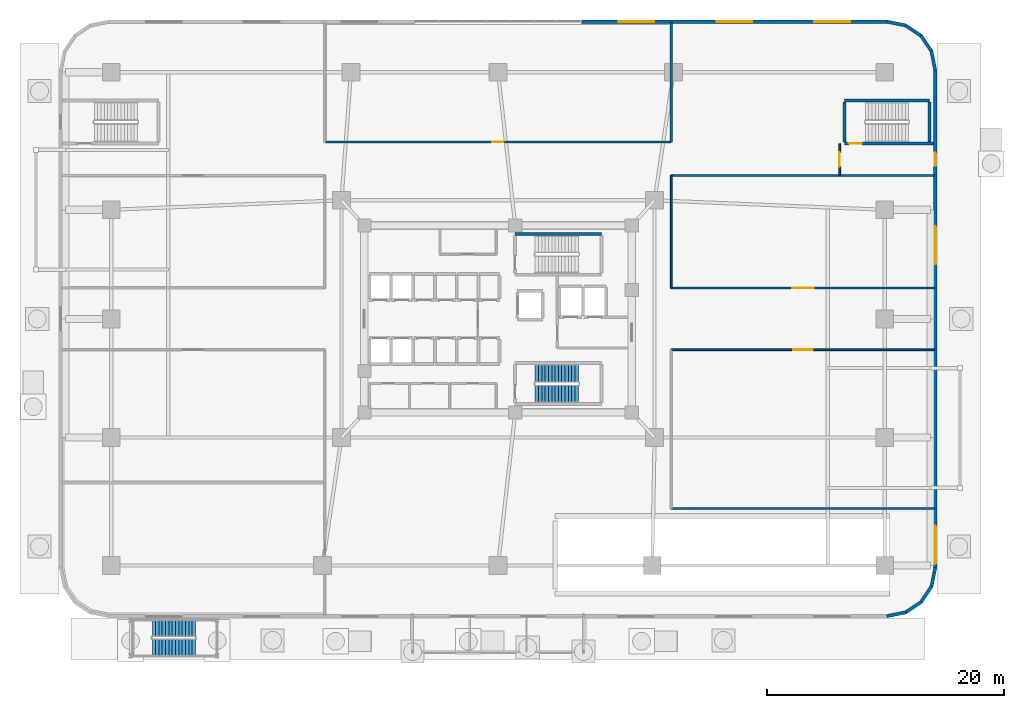
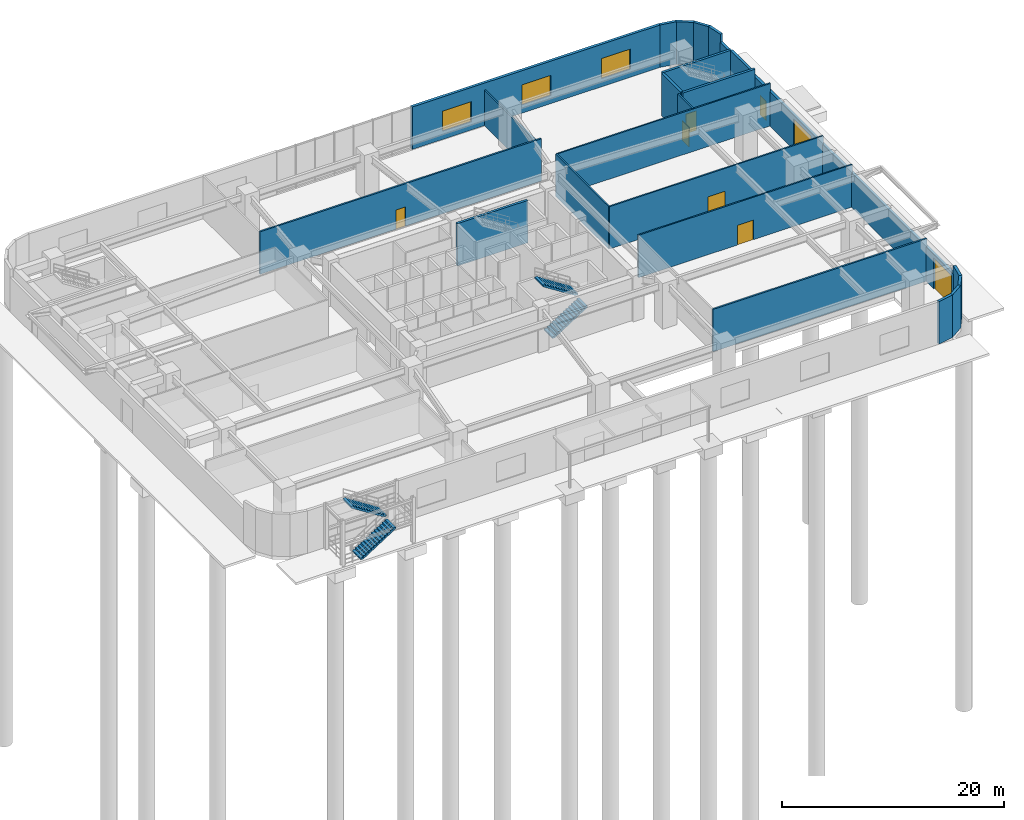
# One storey, part 14 of 18: 23 walls, 8 doors, 4 stair flights, 3 windows, 11 openings, 2 elements without a shape of their own.
"""IFC4 building model written with IfcOpenShell, lengths in metres."""

from ifc_helpers import new_model, si_unit, direction, frame, frame_2d, origin, place, context, subcontext, project, spatial, polyline, rectangle, outline, extrude, material, layer, layer_set, type_object, element, fill, aggregate, save


model = new_model("IFC4")

# Units and contexts
model_context = context("Model", 3, precision=1e-05, world=origin(), true_north=direction((0.0, 1.0)))
body_context = subcontext(model_context, "Body", "Model", "MODEL_VIEW")
ifc_project = project(units=[si_unit("LENGTHUNIT", "METRE"), si_unit("AREAUNIT", "SQUARE_METRE"), si_unit("VOLUMEUNIT", "CUBIC_METRE"), si_unit("PLANEANGLEUNIT", "RADIAN"), si_unit("MASSUNIT", "GRAM", prefix="KILO")], contexts=[model_context])

# Site, building, storey
site_placement = place(None, origin())
site = spatial("IfcSite", under=ifc_project, at=site_placement, CompositionType="ELEMENT")
building_placement = place(site_placement, origin())
building = spatial("IfcBuilding", under=site, at=building_placement, Name="Zulverin Broadcast Headquarters", CompositionType="ELEMENT")
storey_placement = place(building_placement, origin())
storey = spatial("IfcBuildingStorey", under=building, at=storey_placement, Name="L00", CompositionType="ELEMENT", Elevation=0.0)

# Wall, openings, doors
ifc_material_1 = material(Name="Insulated pale-metal clad concrete spandrel C40/50", Category="concrete")
ifc_layer_1 = layer(ifc_material_1, 0.280029296875, Name="Insulated pale-metal clad concrete spandrel C40/50", Category="concrete")
ifc_layer_set_1 = layer_set([ifc_layer_1], Name="Insulated pale-metal clad concrete spandrel C40/50")
wall_type_1 = type_object("IfcWallType", Name="WL-EXT-280", PredefinedType="STANDARD", material=ifc_layer_set_1)
wall_1_placement = place(storey_placement, frame((73.860107421875, 46.199951171875, 0.0), z_axis=(0.0, 0.0, 1.0), x_axis=(0.0, -1.0, 0.0)))
wall_1 = element("IfcWall", 1, at=wall_1_placement, inside=storey, type_object=wall_type_1, Name="L00 Podium Exterior Wall 1", PredefinedType="STANDARD", context=body_context, shape_type="SweptSolid", body=[
    extrude(rectangle(XDim=42.0, YDim=0.280029296875, at=frame_2d((21.0, 0.0))), origin(), (0.0, 0.0, 1.0), 3.760009765625),
])
opening_1_placement = place(wall_1_placement, frame((7.0, 0.0, 0.0)))
opening_1 = element("IfcOpeningElement", 2, at=opening_1_placement, cuts=wall_1, Name="Opening D-L00-EX4", PredefinedType="OPENING", context=body_context, shape_type="SweptSolid", body=[
    extrude(rectangle(XDim=1.10009765625, YDim=2.14990234375, at=frame_2d((0.550048828125, 1.074951171875))), frame((0.0, 0.14990234375, 0.0), z_axis=(0.0, -1.0, 0.0), x_axis=(1.0, 0.0, 0.0)), (0.0, 0.0, 1.0), 0.300048828125),
])
opening_2_placement = place(wall_1_placement, frame((13.199951171875, 0.0, 0.0)))
opening_2 = element("IfcOpeningElement", 3, at=opening_2_placement, cuts=wall_1, Name="Opening D-L00-DOCK", PredefinedType="OPENING", context=body_context, shape_type="SweptSolid", body=[
    extrude(rectangle(XDim=3.199951171875, YDim=3.39990234375, at=frame_2d((1.60009765625, 1.699951171875))), frame((0.0, 0.14990234375, 0.0), z_axis=(0.0, -1.0, 0.0), x_axis=(1.0, 0.0, 0.0)), (0.0, 0.0, 1.0), 0.300048828125),
])
opening_3_placement = place(wall_1_placement, frame((38.449951171875, 0.0, 0.0)))
opening_3 = element("IfcOpeningElement", 4, at=opening_3_placement, cuts=wall_1, Name="Opening D-L00-VRMP", PredefinedType="OPENING", context=body_context, shape_type="SweptSolid", body=[
    extrude(rectangle(XDim=3.199951171875, YDim=3.39990234375, at=frame_2d((1.60009765625, 1.699951171875))), frame((0.0, 0.14990234375, 0.0), z_axis=(0.0, -1.0, 0.0), x_axis=(1.0, 0.0, 0.0)), (0.0, 0.0, 1.0), 0.300048828125),
])
ifc_material_2 = material(Name="Insulated galvanized steel shutter", Category="steel")
door_type_1 = type_object("IfcDoorType", Name="DR-DOCK-3200", OperationType="ROLLINGUP", PredefinedType="DOOR", material=ifc_material_2)
door_1_placement = place(opening_2_placement, origin())
door_1 = element("IfcDoor", 5, at=door_1_placement, inside=storey, type_object=door_type_1, Name="L00 OB Van Loading Bay Roller Shutter", OperationType="ROLLINGUP", OverallHeight=3.39990234375, OverallWidth=3.199951171875, PredefinedType="DOOR", context=body_context, shape_type="SweptSolid", body=[
    extrude(rectangle(XDim=3.199951171875, YDim=3.39990234375, at=frame_2d((1.60009765625, 1.699951171875))), frame((0.0, 0.02490234375, 0.0), z_axis=(0.0, -1.0, 0.0), x_axis=(1.0, 0.0, 0.0)), (0.0, 0.0, 1.0), 0.050048828125),
])
fill(opening_2, door_1)
door_2_placement = place(opening_3_placement, origin())
door_2 = element("IfcDoor", 6, at=door_2_placement, inside=storey, type_object=door_type_1, Name="L00 Car Park Ramp Exit Roller Shutter", OperationType="ROLLINGUP", OverallHeight=3.39990234375, OverallWidth=3.199951171875, PredefinedType="DOOR", context=body_context, shape_type="SweptSolid", body=[
    extrude(rectangle(XDim=3.199951171875, YDim=3.39990234375, at=frame_2d((1.60009765625, 1.699951171875))), frame((0.0, 0.02490234375, 0.0), z_axis=(0.0, -1.0, 0.0), x_axis=(1.0, 0.0, 0.0)), (0.0, 0.0, 1.0), 0.050048828125),
])
fill(opening_3, door_2)
ifc_material_3 = material(Name="Fire-rated steel leaf and frame", Category="steel")
door_type_2 = type_object("IfcDoorType", Name="DR-STAIR-1100", OperationType="SINGLE_SWING_LEFT", PredefinedType="DOOR", material=ifc_material_3)
door_3_placement = place(opening_1_placement, origin())
door_3 = element("IfcDoor", 7, at=door_3_placement, inside=storey, type_object=door_type_2, Name="L00 ST-4 Protected Exit Passageway Final Exterior Door", OperationType="SINGLE_SWING_RIGHT", OverallHeight=2.14990234375, OverallWidth=1.10009765625, PredefinedType="DOOR", context=body_context, shape_type="SweptSolid", body=[
    extrude(rectangle(XDim=1.10009765625, YDim=2.14990234375, at=frame_2d((0.550048828125, 1.074951171875))), frame((0.0, 0.02490234375, 0.0), z_axis=(0.0, -1.0, 0.0), x_axis=(1.0, 0.0, 0.0)), (0.0, 0.0, 1.0), 0.050048828125),
])
fill(opening_1, door_3)

# Wall, openings, windows
wall_2_placement = place(storey_placement, frame((69.800048828125, 50.260009765625, 0.0), z_axis=(0.0, 0.0, 1.0), x_axis=(-1.0, 0.0, 0.0)))
wall_2 = element("IfcWall", 8, at=wall_2_placement, inside=storey, type_object=wall_type_1, Name="L00 Podium Flank Wall 2-1", PredefinedType="STANDARD", context=body_context, shape_type="SweptSolid", body=[
    extrude(rectangle(XDim=25.761962890625, YDim=0.280029296875, at=frame_2d((12.880859375, 0.0))), origin(), (0.0, 0.0, 1.0), 4.659912109375),
])
opening_4_placement = place(wall_2_placement, frame((3.126953125, 0.0, 0.89990234375)))
opening_4 = element("IfcOpeningElement", 9, at=opening_4_placement, cuts=wall_2, Name="Opening W-L00-F211", PredefinedType="OPENING", context=body_context, shape_type="SweptSolid", body=[
    extrude(rectangle(XDim=3.0, YDim=2.199951171875, at=frame_2d((1.5, 1.10009765625))), frame((0.0, 0.14990234375, 0.0), z_axis=(0.0, -1.0, 0.0), x_axis=(1.0, 0.0, 0.0)), (0.0, 0.0, 1.0), 0.300048828125),
])
opening_5_placement = place(wall_2_placement, frame((11.381103515625, 0.0, 0.89990234375)))
opening_5 = element("IfcOpeningElement", 10, at=opening_5_placement, cuts=wall_2, Name="Opening W-L00-F212", PredefinedType="OPENING", context=body_context, shape_type="SweptSolid", body=[
    extrude(rectangle(XDim=3.0, YDim=2.199951171875, at=frame_2d((1.5, 1.10009765625))), frame((0.0, 0.14990234375, 0.0), z_axis=(0.0, -1.0, 0.0), x_axis=(1.0, 0.0, 0.0)), (0.0, 0.0, 1.0), 0.300048828125),
])
opening_6_placement = place(wall_2_placement, frame((19.635009765625, 0.0, 0.89990234375)))
opening_6 = element("IfcOpeningElement", 11, at=opening_6_placement, cuts=wall_2, Name="Opening W-L00-F213", PredefinedType="OPENING", context=body_context, shape_type="SweptSolid", body=[
    extrude(rectangle(XDim=3.0, YDim=2.199951171875, at=frame_2d((1.5, 1.10009765625))), frame((0.0, 0.14990234375, 0.0), z_axis=(0.0, -1.0, 0.0), x_axis=(1.0, 0.0, 0.0)), (0.0, 0.0, 1.0), 0.300048828125),
])
ifc_material_4 = material(Name="Pale anodized aluminium frame with solar-control low-E double glazing", Category="aluminium")
window_type = type_object("IfcWindowType", Name="WIN-POD-3000", PartitioningType="SINGLE_PANEL", PredefinedType="WINDOW", material=ifc_material_4)
window_1_placement = place(opening_4_placement, origin())
window_1 = element("IfcWindow", 12, at=window_1_placement, inside=storey, type_object=window_type, Name="L00 Podium Flank Window 2-1 1", OverallHeight=2.199951171875, OverallWidth=3.0, PartitioningType="SINGLE_PANEL", PredefinedType="WINDOW", context=body_context, shape_type="SweptSolid", body=[
    extrude(rectangle(XDim=3.0, YDim=2.199951171875, at=frame_2d((1.5, 1.10009765625))), frame((0.0, 0.030029296875, 0.0), z_axis=(0.0, -1.0, 0.0), x_axis=(1.0, 0.0, 0.0)), (0.0, 0.0, 1.0), 0.06005859375),
])
fill(opening_4, window_1)
window_2_placement = place(opening_5_placement, origin())
window_2 = element("IfcWindow", 13, at=window_2_placement, inside=storey, type_object=window_type, Name="L00 Podium Flank Window 2-1 2", OverallHeight=2.199951171875, OverallWidth=3.0, PartitioningType="SINGLE_PANEL", PredefinedType="WINDOW", context=body_context, shape_type="SweptSolid", body=[
    extrude(rectangle(XDim=3.0, YDim=2.199951171875, at=frame_2d((1.5, 1.10009765625))), frame((0.0, 0.030029296875, 0.0), z_axis=(0.0, -1.0, 0.0), x_axis=(1.0, 0.0, 0.0)), (0.0, 0.0, 1.0), 0.06005859375),
])
fill(opening_5, window_2)
window_3_placement = place(opening_6_placement, origin())
window_3 = element("IfcWindow", 14, at=window_3_placement, inside=storey, type_object=window_type, Name="L00 Podium Flank Window 2-1 3", OverallHeight=2.199951171875, OverallWidth=3.0, PartitioningType="SINGLE_PANEL", PredefinedType="WINDOW", context=body_context, shape_type="SweptSolid", body=[
    extrude(rectangle(XDim=3.0, YDim=2.199951171875, at=frame_2d((1.5, 1.10009765625))), frame((0.0, 0.030029296875, 0.0), z_axis=(0.0, -1.0, 0.0), x_axis=(1.0, 0.0, 0.0)), (0.0, 0.0, 1.0), 0.06005859375),
])
fill(opening_6, window_3)

# Walls
for number, where, z_axis, x_axis, name in (
    (15, (73.86279296875, 46.172607421875, 0.0), (0.0, 0.0, 1.0), (-0.195142046967, 0.980774990253, 0.0), "L00 Wind-Shaped Corner Spandrel Wall 1-1"),
    (16, (73.56396484375, 47.7294921875, 0.0), (0.0, 0.0, 1.0), (-0.555662407875, 0.831408015643, 0.0), "L00 Wind-Shaped Corner Spandrel Wall 1-2"),
):
    element("IfcWall", number, at=place(storey_placement, frame(where, z_axis=z_axis, x_axis=x_axis)), inside=storey, type_object=wall_type_1, Name=name, PredefinedType="STANDARD", context=body_context, shape_type="SweptSolid", body=[
        extrude(rectangle(XDim=1.638916015625, YDim=0.280029296875, at=frame_2d((0.8193359375, 0.0))), origin(), (0.0, 0.0, 1.0), 4.659912109375),
    ])
wall_3_placement = place(storey_placement, frame((72.69189453125, 49.053466796875, 0.0), z_axis=(0.0, 0.0, 1.0), x_axis=(-0.831430845238, 0.555628247651, 0.0)))
element("IfcWall", 17, at=wall_3_placement, inside=storey, type_object=wall_type_1, Name="L00 Wind-Shaped Corner Spandrel Wall 1-3", PredefinedType="STANDARD", context=body_context, shape_type="SweptSolid", body=[
    extrude(rectangle(XDim=1.638427734375, YDim=0.280029296875, at=frame_2d((0.8193359375, 0.0))), origin(), (0.0, 0.0, 1.0), 4.659912109375),
])
for number, where, z_axis, x_axis, name in (
    (18, (71.3798828125, 49.943115234375, 0.0), (0.0, 0.0, 1.0), (-0.980797825116, 0.195027244885, 0.0), "L00 Wind-Shaped Corner Spandrel Wall 1-4"),
    (19, (69.772705078125, 0.13720703125, 0.0), (0.0, 0.0, 1.0), (0.980769316421, 0.19517056122, 0.0), "L00 Wind-Shaped Corner Spandrel Wall 4-1"),
    (20, (71.32958984375, 0.43603515625, 0.0), (0.0, 0.0, 1.0), (0.831362010656, 0.555731236514, 0.0), "L00 Wind-Shaped Corner Spandrel Wall 4-2"),
    (21, (72.6533203125, 1.30810546875, 0.0), (0.0, 0.0, 1.0), (0.555731236514, 0.831362010656, 0.0), "L00 Wind-Shaped Corner Spandrel Wall 4-3"),
    (22, (73.54296875, 2.6201171875, 0.0), (0.0, 0.0, 1.0), (0.19517056122, 0.980769316421, 0.0), "L00 Wind-Shaped Corner Spandrel Wall 4-4"),
):
    element("IfcWall", number, at=place(storey_placement, frame(where, z_axis=z_axis, x_axis=x_axis)), inside=storey, type_object=wall_type_1, Name=name, PredefinedType="STANDARD", context=body_context, shape_type="SweptSolid", body=[
        extrude(rectangle(XDim=1.638671875, YDim=0.280029296875, at=frame_2d((0.8193359375, 0.0))), origin(), (0.0, 0.0, 1.0), 4.659912109375),
    ])

# Wall, opening, door
ifc_material_5 = material(Name="Fire-rated gypsum stud partition", Category="gypsum")
ifc_layer_2 = layer(ifc_material_5, 0.14990234375, Name="Fire-rated gypsum stud partition", Category="gypsum")
ifc_layer_set_2 = layer_set([ifc_layer_2], Name="Fire-rated gypsum stud partition")
wall_type_2 = type_object("IfcWallType", Name="WL-PART-150", PredefinedType="PARTITIONING", material=ifc_layer_set_2)
wall_4_placement = place(storey_placement, frame((65.800048828125, 37.300048828125, 0.0), z_axis=(0.0, 0.0, 1.0), x_axis=(0.0, 1.0, 0.0)))
wall_4 = element("IfcWall", 23, at=wall_4_placement, inside=storey, type_object=wall_type_2, Name="L00 Gallery Partition Wall CG-01", PredefinedType="PARTITIONING", context=body_context, shape_type="SweptSolid", body=[
    extrude(rectangle(XDim=2.675048828125, YDim=0.14990234375, at=frame_2d((1.33740234375, 0.0))), origin(), (0.0, 0.0, 1.0), 4.659912109375),
])
opening_7_placement = place(wall_4_placement, frame((0.737548828125, 0.0, 0.0)))
opening_7 = element("IfcOpeningElement", 24, at=opening_7_placement, cuts=wall_4, Name="Opening D-L00-PSG", PredefinedType="OPENING", context=body_context, shape_type="SweptSolid", body=[
    extrude(rectangle(XDim=1.199951171875, YDim=2.14990234375, at=frame_2d((0.60009765625, 1.074951171875))), frame((0.0, 0.0849609375, 0.0), z_axis=(0.0, -1.0, 0.0), x_axis=(1.0, 0.0, 0.0)), (0.0, 0.0, 1.0), 0.169921875),
])
door_type_3 = type_object("IfcDoorType", Name="DR-FFL-1200", OperationType="SINGLE_SWING_RIGHT", PredefinedType="DOOR", material=ifc_material_3)
door_4_placement = place(opening_7_placement, origin())
door_4 = element("IfcDoor", 25, at=door_4_placement, inside=storey, type_object=door_type_3, Name="L00 ST-4 Protected Exit Passageway Door", OperationType="SINGLE_SWING_LEFT", OverallHeight=2.14990234375, OverallWidth=1.199951171875, PredefinedType="DOOR", context=body_context, shape_type="SweptSolid", body=[
    extrude(rectangle(XDim=1.199951171875, YDim=2.14990234375, at=frame_2d((0.60009765625, 1.074951171875))), frame((0.0, 0.02490234375, 0.0), z_axis=(0.0, -1.0, 0.0), x_axis=(1.0, 0.0, 0.0)), (0.0, 0.0, 1.0), 0.050048828125),
])
fill(opening_7, door_4)

# Wall
wall_5_placement = place(storey_placement, frame((51.60009765625, 27.800048828125, 0.0), z_axis=(0.0, 0.0, 1.0), x_axis=(0.0, 1.0, 0.0)))
element("IfcWall", 26, at=wall_5_placement, inside=storey, type_object=wall_type_2, Name="L00 Gallery Partition Wall CG-03", PredefinedType="PARTITIONING", context=body_context, shape_type="SweptSolid", body=[
    extrude(rectangle(XDim=9.5, YDim=0.14990234375, at=frame_2d((4.75, 0.0))), origin(), (0.0, 0.0, 1.0), 4.659912109375),
])

# Wall, opening, door
wall_6_placement = place(storey_placement, frame((51.60009765625, 22.60009765625, 0.0), z_axis=(0.0, 0.0, 1.0), x_axis=(1.0, 0.0, 0.0)))
wall_6 = element("IfcWall", 27, at=wall_6_placement, inside=storey, type_object=wall_type_2, Name="L00 Gallery Partition Wall CG-11", PredefinedType="PARTITIONING", context=body_context, shape_type="SweptSolid", body=[
    extrude(rectangle(XDim=22.19482421875, YDim=0.14990234375, at=frame_2d((11.097412109375, 0.0))), origin(), (0.0, 0.0, 1.0), 4.659912109375),
])
opening_8_placement = place(wall_6_placement, frame((10.2724609375, 0.0, 0.0)))
opening_8 = element("IfcOpeningElement", 28, at=opening_8_placement, cuts=wall_6, Name="Opening D-L00-PRE", PredefinedType="OPENING", context=body_context, shape_type="SweptSolid", body=[
    extrude(rectangle(XDim=1.64990234375, YDim=2.14990234375, at=frame_2d((0.824951171875, 1.074951171875))), frame((0.0, 0.0849609375, 0.0), z_axis=(0.0, -1.0, 0.0), x_axis=(1.0, 0.0, 0.0)), (0.0, 0.0, 1.0), 0.169921875),
])
ifc_material_6 = material(Name="Fire-rated acoustic double leaf", Category="steel")
door_type_4 = type_object("IfcDoorType", Name="DR-AUD-1650", OperationType="DOUBLE_DOOR_SINGLE_SWING", PredefinedType="DOOR", material=ifc_material_6)
door_5_placement = place(opening_8_placement, origin())
door_5 = element("IfcDoor", 29, at=door_5_placement, inside=storey, type_object=door_type_4, Name="L00 Press Accreditation & Media Briefing Suite Door", OperationType="DOUBLE_DOOR_SINGLE_SWING", OverallHeight=2.14990234375, OverallWidth=1.64990234375, PredefinedType="DOOR", context=body_context, shape_type="SweptSolid", body=[
    extrude(rectangle(XDim=1.64990234375, YDim=2.14990234375, at=frame_2d((0.824951171875, 1.074951171875))), frame((0.0, 0.02490234375, 0.0), z_axis=(0.0, -1.0, 0.0), x_axis=(1.0, 0.0, 0.0)), (0.0, 0.0, 1.0), 0.050048828125),
])
fill(opening_8, door_5)

wall_7_placement = place(storey_placement, frame((51.60009765625, 27.800048828125, 0.0), z_axis=(0.0, 0.0, 1.0), x_axis=(1.0, 0.0, 0.0)))
wall_7 = element("IfcWall", 30, at=wall_7_placement, inside=storey, type_object=wall_type_2, Name="L00 Gallery Partition Wall CG-13", PredefinedType="PARTITIONING", context=body_context, shape_type="SweptSolid", body=[
    extrude(rectangle(XDim=22.19482421875, YDim=0.14990234375, at=frame_2d((11.097412109375, 0.0))), origin(), (0.0, 0.0, 1.0), 4.659912109375),
])
opening_9_placement = place(wall_7_placement, frame((10.197509765625, 0.0, 0.0)))
opening_9 = element("IfcOpeningElement", 31, at=opening_9_placement, cuts=wall_7, Name="Opening D-L00-OBB", PredefinedType="OPENING", context=body_context, shape_type="SweptSolid", body=[
    extrude(rectangle(XDim=1.800048828125, YDim=2.14990234375, at=frame_2d((0.89990234375, 1.074951171875))), frame((0.0, 0.0849609375, 0.0), z_axis=(0.0, -1.0, 0.0), x_axis=(1.0, 0.0, 0.0)), (0.0, 0.0, 1.0), 0.169921875),
])
ifc_material_7 = material(Name="Acoustic steel studio door", Category="steel")
door_type_5 = type_object("IfcDoorType", Name="DR-STD-1800", OperationType="DOUBLE_DOOR_SINGLE_SWING", PredefinedType="DOOR", material=ifc_material_7)
door_6_placement = place(opening_9_placement, origin())
door_6 = element("IfcDoor", 32, at=door_6_placement, inside=storey, type_object=door_type_5, Name="L00 Outside Broadcast Van Loading & Service Bay Door", OperationType="DOUBLE_DOOR_SINGLE_SWING", OverallHeight=2.14990234375, OverallWidth=1.800048828125, PredefinedType="DOOR", context=body_context, shape_type="SweptSolid", body=[
    extrude(rectangle(XDim=1.800048828125, YDim=2.14990234375, at=frame_2d((0.89990234375, 1.074951171875))), frame((0.0, 0.02490234375, 0.0), z_axis=(0.0, -1.0, 0.0), x_axis=(1.0, 0.0, 0.0)), (0.0, 0.0, 1.0), 0.050048828125),
])
fill(opening_9, door_6)

# Walls
wall_8_placement = place(storey_placement, frame((51.60009765625, 37.300048828125, 0.0), z_axis=(0.0, 0.0, 1.0), x_axis=(1.0, 0.0, 0.0)))
element("IfcWall", 33, at=wall_8_placement, inside=storey, type_object=wall_type_2, Name="L00 Gallery Partition Wall CG-15", PredefinedType="PARTITIONING", context=body_context, shape_type="SweptSolid", body=[
    extrude(rectangle(XDim=22.19482421875, YDim=0.14990234375, at=frame_2d((11.097412109375, 0.0))), origin(), (0.0, 0.0, 1.0), 4.659912109375),
])
ifc_material_8 = material(Name="Fire-rated acoustic stud wall", Category="gypsum")
ifc_layer_3 = layer(ifc_material_8, 0.175048828125, Name="Fire-rated acoustic stud wall", Category="gypsum")
ifc_layer_set_3 = layer_set([ifc_layer_3], Name="Fire-rated acoustic stud wall")
wall_type_3 = type_object("IfcWallType", Name="WL-PART-175", PredefinedType="PARTITIONING", material=ifc_layer_set_3)
wall_9_placement = place(storey_placement, frame((51.60009765625, 40.10009765625, 0.0), z_axis=(0.0, 0.0, 1.0), x_axis=(0.0, 1.0, 0.0)))
element("IfcWall", 34, at=wall_9_placement, inside=storey, type_object=wall_type_3, Name="L00 Gallery Partition Wall CG-04", PredefinedType="PARTITIONING", context=body_context, shape_type="SweptSolid", body=[
    extrude(rectangle(XDim=10.094970703125, YDim=0.175048828125, at=frame_2d((5.04736328125, 0.0))), origin(), (0.0, 0.0, 1.0), 3.89013671875),
])
wall_10_placement = place(storey_placement, frame((51.60009765625, 9.199951171875, 0.0), z_axis=(0.0, 0.0, 1.0), x_axis=(1.0, 0.0, 0.0)))
element("IfcWall", 35, at=wall_10_placement, inside=storey, type_object=wall_type_3, Name="L00 Gallery Partition Wall CG-08", PredefinedType="PARTITIONING", context=body_context, shape_type="SweptSolid", body=[
    extrude(rectangle(XDim=22.19482421875, YDim=0.175048828125, at=frame_2d((11.097412109375, 0.0))), origin(), (0.0, 0.0, 1.0), 4.659912109375),
])

# Wall, opening, door
wall_11_placement = place(storey_placement, frame((22.39990234375, 40.10009765625, 0.0), z_axis=(0.0, 0.0, 1.0), x_axis=(1.0, 0.0, 0.0)))
wall_11 = element("IfcWall", 36, at=wall_11_placement, inside=storey, type_object=wall_type_3, Name="L00 Gallery Partition Wall CG-16", PredefinedType="PARTITIONING", context=body_context, shape_type="SweptSolid", body=[
    extrude(rectangle(XDim=29.2001953125, YDim=0.175048828125, at=frame_2d((14.60009765625, 0.0))), origin(), (0.0, 0.0, 1.0), 4.659912109375),
])
opening_10_placement = place(wall_11_placement, frame((14.10009765625, 0.0, 0.0)))
opening_10 = element("IfcOpeningElement", 37, at=opening_10_placement, cuts=wall_11, Name="Opening D-L00-SEC", PredefinedType="OPENING", context=body_context, shape_type="SweptSolid", body=[
    extrude(rectangle(XDim=1.0, YDim=2.1201171875, at=frame_2d((0.5, 1.06005859375))), frame((0.0, 0.097412109375, 0.0), z_axis=(0.0, -1.0, 0.0), x_axis=(1.0, 0.0, 0.0)), (0.0, 0.0, 1.0), 0.195068359375),
])
ifc_material_9 = material(Name="Hardwood veneer acoustic leaf", Category="wood")
door_type_6 = type_object("IfcDoorType", Name="DR-OFF-1000", OperationType="SINGLE_SWING_LEFT", PredefinedType="DOOR", material=ifc_material_9)
door_7_placement = place(opening_10_placement, origin())
door_7 = element("IfcDoor", 38, at=door_7_placement, inside=storey, type_object=door_type_6, Name="L00 Master Playout & Security Operations Office Door", OperationType="SINGLE_SWING_RIGHT", OverallHeight=2.1201171875, OverallWidth=1.0, PredefinedType="DOOR", context=body_context, shape_type="SweptSolid", body=[
    extrude(rectangle(XDim=1.0, YDim=2.1201171875, at=frame_2d((0.5, 1.06005859375))), frame((0.0, 0.02490234375, 0.0), z_axis=(0.0, -1.0, 0.0), x_axis=(1.0, 0.0, 0.0)), (0.0, 0.0, 1.0), 0.050048828125),
])
fill(opening_10, door_7)

# Wall
ifc_material_10 = material(Name="Concrete C50/60", Category="concrete")
ifc_layer_4 = layer(ifc_material_10, 0.25, Name="Concrete C50/60", Category="concrete")
ifc_layer_set_4 = layer_set([ifc_layer_4], Name="Concrete C50/60")
wall_type_4 = type_object("IfcWallType", Name="WL-SHAFT-250", PredefinedType="SHEAR", material=ifc_layer_set_4)
wall_12_placement = place(storey_placement, frame((38.425048828125, 32.375, 0.0), z_axis=(0.0, 0.0, 1.0), x_axis=(1.0, 0.0, 0.0)))
element("IfcWall", 39, at=wall_12_placement, inside=storey, type_object=wall_type_4, Name="L00 ST-1 Enclosure Wall N", PredefinedType="SHEAR", context=body_context, shape_type="SweptSolid", body=[
    extrude(rectangle(XDim=7.300048828125, YDim=0.25, at=frame_2d((3.64990234375, 0.0))), origin(), (0.0, 0.0, 1.0), 4.659912109375),
])

# Wall, opening, door
wall_13_placement = place(storey_placement, frame((66.22509765625, 39.97509765625, 0.0), z_axis=(0.0, 0.0, 1.0), x_axis=(1.0, 0.0, 0.0)))
wall_13 = element("IfcWall", 40, at=wall_13_placement, inside=storey, type_object=wall_type_4, Name="L00 ST-4 Enclosure Wall S", PredefinedType="SHEAR", context=body_context, shape_type="SweptSolid", body=[
    extrude(rectangle(XDim=7.494873046875, YDim=0.25, at=frame_2d((3.74755859375, 0.0))), origin(), (0.0, 0.0, 1.0), 4.659912109375),
])
opening_11_placement = place(wall_13_placement, frame((0.35009765625, 0.0, 0.0)))
opening_11 = element("IfcOpeningElement", 41, at=opening_11_placement, cuts=wall_13, Name="Opening D-L00-ST-4", PredefinedType="OPENING", context=body_context, shape_type="SweptSolid", body=[
    extrude(rectangle(XDim=1.10009765625, YDim=2.14990234375, at=frame_2d((0.550048828125, 1.074951171875))), frame((0.0, 0.135009765625, 0.0), z_axis=(0.0, -1.0, 0.0), x_axis=(1.0, 0.0, 0.0)), (0.0, 0.0, 1.0), 0.27001953125),
])
door_8_placement = place(opening_11_placement, origin())
door_8 = element("IfcDoor", 42, at=door_8_placement, inside=storey, type_object=door_type_2, Name="L00 Exit Stair ST-4 Fire Door", OperationType="SINGLE_SWING_RIGHT", OverallHeight=2.14990234375, OverallWidth=1.10009765625, PredefinedType="DOOR", context=body_context, shape_type="SweptSolid", body=[
    extrude(rectangle(XDim=1.10009765625, YDim=2.14990234375, at=frame_2d((0.550048828125, 1.074951171875))), frame((0.0, 0.02490234375, 0.0), z_axis=(0.0, -1.0, 0.0), x_axis=(1.0, 0.0, 0.0)), (0.0, 0.0, 1.0), 0.050048828125),
])
fill(opening_11, door_8)

# Walls
wall_14_placement = place(storey_placement, frame((66.22509765625, 43.625, 0.0), z_axis=(0.0, 0.0, 1.0), x_axis=(1.0, 0.0, 0.0)))
element("IfcWall", 43, at=wall_14_placement, inside=storey, type_object=wall_type_4, Name="L00 ST-4 Enclosure Wall N", PredefinedType="SHEAR", context=body_context, shape_type="SweptSolid", body=[
    extrude(rectangle(XDim=7.14990234375, YDim=0.25, at=frame_2d((3.574951171875, 0.0))), origin(), (0.0, 0.0, 1.0), 4.659912109375),
])
for number, where, z_axis, x_axis, name in (
    (44, (66.22509765625, 40.10009765625, 0.0), (0.0, 0.0, 1.0), (0.0, 1.0, 0.0), "L00 ST-4 Enclosure Wall W"),
    (45, (73.375, 40.10009765625, 0.0), (0.0, 0.0, 1.0), (0.0, 1.0, 0.0), "L00 ST-4 Enclosure Wall E"),
):
    element("IfcWall", number, at=place(storey_placement, frame(where, z_axis=z_axis, x_axis=x_axis)), inside=storey, type_object=wall_type_4, Name=name, PredefinedType="SHEAR", context=body_context, shape_type="SweptSolid", body=[
        extrude(rectangle(XDim=3.39990234375, YDim=0.25, at=frame_2d((1.699951171875, 0.0))), origin(), (0.0, 0.0, 1.0), 4.659912109375),
    ])

# Stair, stair flights
ifc_material_11 = material(Name="Concrete C40/50", Category="concrete")
stair_type_1 = type_object("IfcStairType", Name="ST-CORE-1500", PredefinedType="HALF_TURN_STAIR", material=ifc_material_11)
stair_1_placement = place(storey_placement, origin())
stair_1 = element("IfcStair", 46, at=stair_1_placement, inside=storey, type_object=stair_type_1, Name="L00 Core Exit Stair ST-2", PredefinedType="HALF_TURN_STAIR")
stair_flight_type_1 = type_object("IfcStairFlightType", Name="SF-CORE-1500", PredefinedType="STRAIGHT", material=ifc_material_11)
stair_flight_1_placement = place(storey_placement, frame((40.1298828125, 18.89990234375, 0.0), z_axis=(0.0, 0.0, 1.0), x_axis=(1.0, 0.0, 0.0)))
stair_flight_1 = element("IfcStairFlight", 47, at=stair_flight_1_placement, type_object=stair_flight_type_1, Name="ST-2 flight 1", NumberOfRisers=14, NumberOfTreads=13, PredefinedType="STRAIGHT", RiserHeight=0.178571429, TreadLength=0.28, context=body_context, shape_type="SweptSolid", body=[
    extrude(outline(polyline([(0.0, 0.0), (0.0, 0.178466796875), (0.280029296875, 0.178466796875), (0.280029296875, 0.357177734375), (0.56005859375, 0.357177734375), (0.56005859375, 0.53564453125), (0.840087890625, 0.53564453125), (0.840087890625, 0.71435546875), (1.1201171875, 0.71435546875), (1.1201171875, 0.892822265625), (1.39990234375, 0.892822265625), (1.39990234375, 1.071533203125), (1.679931640625, 1.071533203125), (1.679931640625, 1.25), (1.9599609375, 1.25), (1.9599609375, 1.428466796875), (2.239990234375, 1.428466796875), (2.239990234375, 1.607177734375), (2.52001953125, 1.607177734375), (2.52001953125, 1.78564453125), (2.800048828125, 1.78564453125), (2.800048828125, 1.96435546875), (3.080078125, 1.96435546875), (3.080078125, 2.142822265625), (3.360107421875, 2.142822265625), (3.360107421875, 2.321533203125), (3.639892578125, 2.321533203125), (3.639892578125, 2.5), (3.639892578125, 2.1435546875), (0.27880859375, 0.0), (0.0, 0.0)])), frame((0.0, 0.75, 0.0), z_axis=(0.0, -1.0, 0.0), x_axis=(1.0, 0.0, 0.0)), (0.0, 0.0, 1.0), 1.5),
])
stair_flight_2_placement = place(storey_placement, frame((43.77001953125, 20.60009765625, 2.5), z_axis=(0.0, 0.0, 1.0), x_axis=(-1.0, 0.0, 0.0)))
stair_flight_2 = element("IfcStairFlight", 48, at=stair_flight_2_placement, type_object=stair_flight_type_1, Name="ST-2 flight 2", NumberOfRisers=14, NumberOfTreads=13, PredefinedType="STRAIGHT", RiserHeight=0.178571429, TreadLength=0.28, context=body_context, shape_type="SweptSolid", body=[
    extrude(outline(polyline([(0.0, 0.0), (0.0, 0.178466796875), (0.280029296875, 0.178466796875), (0.280029296875, 0.357177734375), (0.56005859375, 0.357177734375), (0.56005859375, 0.53564453125), (0.840087890625, 0.53564453125), (0.840087890625, 0.71435546875), (1.1201171875, 0.71435546875), (1.1201171875, 0.892822265625), (1.39990234375, 0.892822265625), (1.39990234375, 1.071533203125), (1.679931640625, 1.071533203125), (1.679931640625, 1.25), (1.9599609375, 1.25), (1.9599609375, 1.428466796875), (2.239990234375, 1.428466796875), (2.239990234375, 1.607177734375), (2.52001953125, 1.607177734375), (2.52001953125, 1.78564453125), (2.800048828125, 1.78564453125), (2.800048828125, 1.96435546875), (3.080078125, 1.96435546875), (3.080078125, 2.142822265625), (3.360107421875, 2.142822265625), (3.360107421875, 2.321533203125), (3.639892578125, 2.321533203125), (3.639892578125, 2.5), (3.639892578125, 2.1435546875), (0.27880859375, 0.0), (0.0, 0.0)])), frame((0.0, 0.75, 0.0), z_axis=(0.0, -1.0, 0.0), x_axis=(1.0, 0.0, 0.0)), (0.0, 0.0, 1.0), 1.5),
])
aggregate(stair_1, [stair_flight_1, stair_flight_2])

stair_type_2 = type_object("IfcStairType", Name="ST-GDN-1500", PredefinedType="HALF_TURN_STAIR", material=ifc_material_11)
stair_2_placement = place(storey_placement, origin())
stair_2 = element("IfcStair", 49, at=stair_2_placement, inside=storey, type_object=stair_type_2, Name="L00 Exterior Public Garden Stair ST-5", PredefinedType="HALF_TURN_STAIR")
stair_flight_type_2 = type_object("IfcStairFlightType", Name="SF-GDN-1500", PredefinedType="STRAIGHT", material=ifc_material_11)
stair_flight_3_placement = place(storey_placement, frame((7.85009765625, -2.530029296875, 0.0), z_axis=(0.0, 0.0, 1.0), x_axis=(1.0, 0.0, 0.0)))
stair_flight_3 = element("IfcStairFlight", 50, at=stair_flight_3_placement, type_object=stair_flight_type_2, Name="ST-5 flight 1", NumberOfRisers=14, NumberOfTreads=13, PredefinedType="STRAIGHT", RiserHeight=0.178571429, TreadLength=0.28, context=body_context, shape_type="SweptSolid", body=[
    extrude(outline(polyline([(0.0, 0.0), (0.0, 0.178466796875), (0.280029296875, 0.178466796875), (0.280029296875, 0.357177734375), (0.56005859375, 0.357177734375), (0.56005859375, 0.53564453125), (0.840087890625, 0.53564453125), (0.840087890625, 0.71435546875), (1.1201171875, 0.71435546875), (1.1201171875, 0.892822265625), (1.39990234375, 0.892822265625), (1.39990234375, 1.071533203125), (1.679931640625, 1.071533203125), (1.679931640625, 1.25), (1.9599609375, 1.25), (1.9599609375, 1.428466796875), (2.239990234375, 1.428466796875), (2.239990234375, 1.607177734375), (2.52001953125, 1.607177734375), (2.52001953125, 1.78564453125), (2.800048828125, 1.78564453125), (2.800048828125, 1.96435546875), (3.080078125, 1.96435546875), (3.080078125, 2.142822265625), (3.360107421875, 2.142822265625), (3.360107421875, 2.321533203125), (3.639892578125, 2.321533203125), (3.639892578125, 2.5), (3.639892578125, 2.1435546875), (0.27880859375, 0.0), (0.0, 0.0)])), frame((0.0, 0.75, 0.0), z_axis=(0.0, -1.0, 0.0), x_axis=(1.0, 0.0, 0.0)), (0.0, 0.0, 1.0), 1.5),
])
stair_flight_4_placement = place(storey_placement, frame((11.489990234375, -0.830078125, 2.5), z_axis=(0.0, 0.0, 1.0), x_axis=(-1.0, 0.0, 0.0)))
stair_flight_4 = element("IfcStairFlight", 51, at=stair_flight_4_placement, type_object=stair_flight_type_2, Name="ST-5 flight 2", NumberOfRisers=14, NumberOfTreads=13, PredefinedType="STRAIGHT", RiserHeight=0.178571429, TreadLength=0.28, context=body_context, shape_type="SweptSolid", body=[
    extrude(outline(polyline([(0.0, 0.0), (0.0, 0.178466796875), (0.280029296875, 0.178466796875), (0.280029296875, 0.357177734375), (0.56005859375, 0.357177734375), (0.56005859375, 0.53564453125), (0.840087890625, 0.53564453125), (0.840087890625, 0.71435546875), (1.1201171875, 0.71435546875), (1.1201171875, 0.892822265625), (1.39990234375, 0.892822265625), (1.39990234375, 1.071533203125), (1.679931640625, 1.071533203125), (1.679931640625, 1.25), (1.9599609375, 1.25), (1.9599609375, 1.428466796875), (2.239990234375, 1.428466796875), (2.239990234375, 1.607177734375), (2.52001953125, 1.607177734375), (2.52001953125, 1.78564453125), (2.800048828125, 1.78564453125), (2.800048828125, 1.96435546875), (3.080078125, 1.96435546875), (3.080078125, 2.142822265625), (3.360107421875, 2.142822265625), (3.360107421875, 2.321533203125), (3.639892578125, 2.321533203125), (3.639892578125, 2.5), (3.639892578125, 2.1435546875), (0.27880859375, 0.0), (0.0, 0.0)])), frame((0.0, 0.75, 0.0), z_axis=(0.0, -1.0, 0.0), x_axis=(1.0, 0.0, 0.0)), (0.0, 0.0, 1.0), 1.5),
])
aggregate(stair_2, [stair_flight_3, stair_flight_4])

save(model, "model.ifc")
